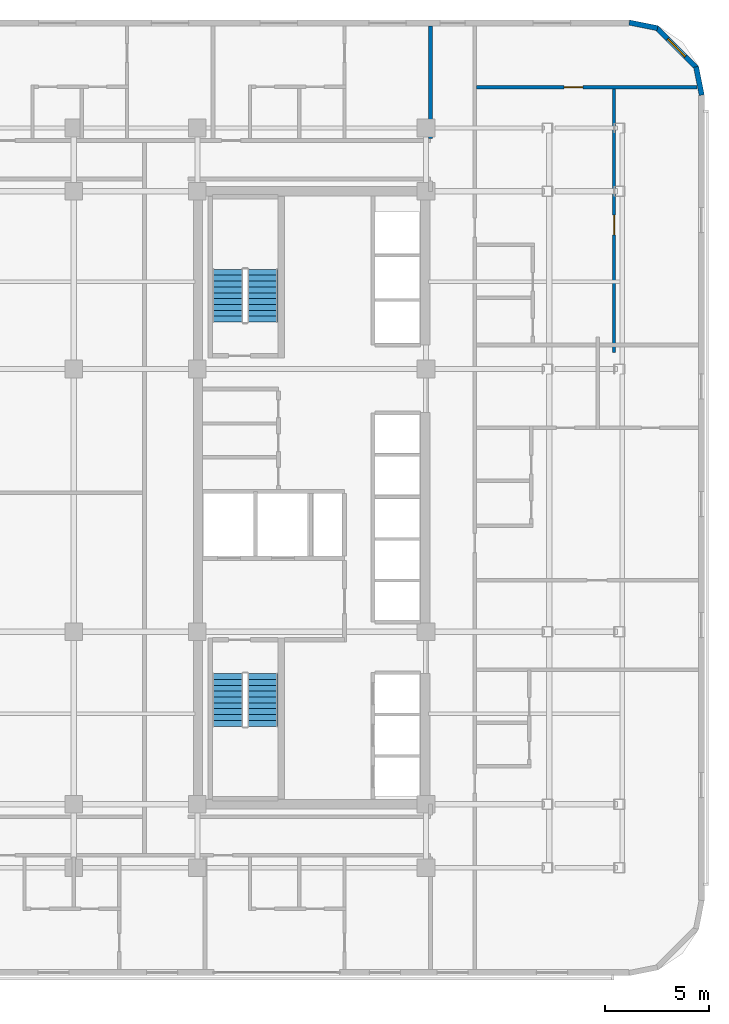
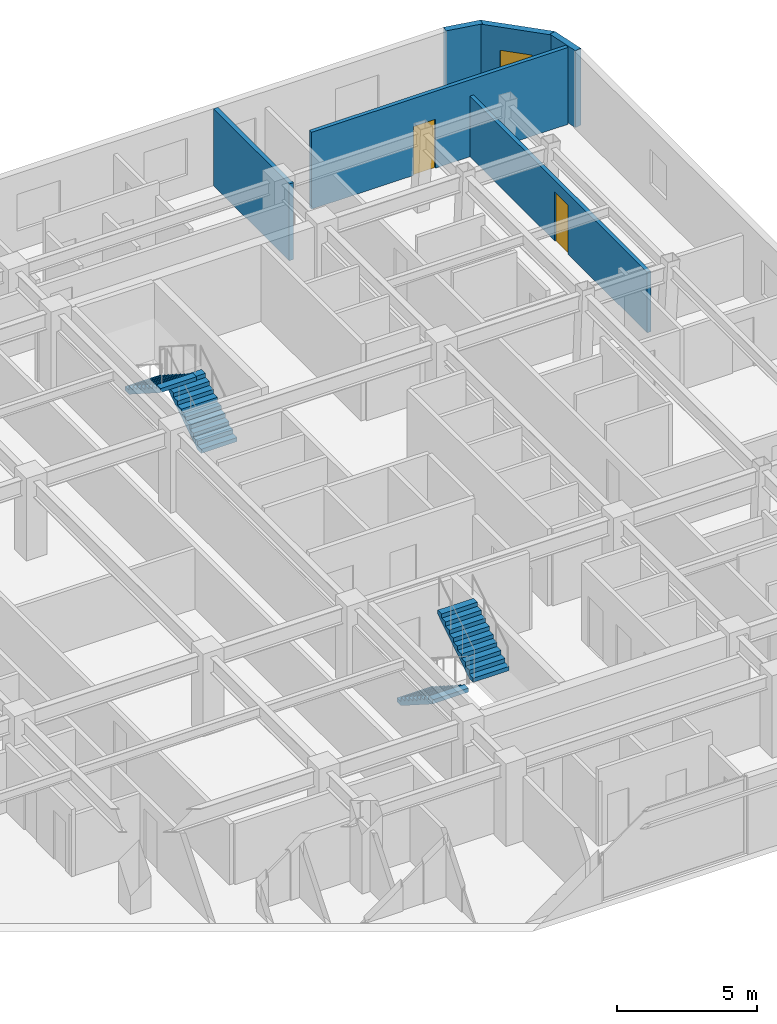
# One storey, part 11 of 15: 6 walls, 4 stair flights, 2 doors, 1 window, 3 openings, 2 elements without a shape of their own.
"""IFC4 building model written with IfcOpenShell, lengths in metres."""

import ifcopenshell
import ifcopenshell.guid

model = None  # the IFC model being written
_history = None  # IfcOwnerHistory: only IFC2X3 demands one
_inside = {}  # id of a spatial element -> (the spatial element, [elements in it])
_under = {}  # id of a project, library or spatial element -> (it, [spatial elements below it])
_declared = {}  # id of a project -> (the project, [libraries it declares])
_typed = {}  # id of a type object -> (the type object, [elements of that type])
_made_of = {}  # id of a material, layer set ... -> (it, [elements and type objects made of it])


def new_model(schema):
    """Start an empty IFC model of exactly this schema.

    Asked for "IFC4X3", IfcOpenShell would pick the latest addendum, in which some entities
    have other attributes; the version numbers below select the first issue.
    IFC2X3 requires an IfcOwnerHistory on every rooted entity: one is made here for all.
    """
    global model, _history
    if schema == "IFC4X3":
        model = ifcopenshell.file(schema_version=(4, 3, 0, 0))
    else:
        model = ifcopenshell.file(schema=schema)
    _inside.clear()
    _under.clear()
    _declared.clear()
    _typed.clear()
    _made_of.clear()
    _history = None
    if model.schema == "IFC2X3":
        org = make("IfcOrganization", Name="unknown")
        user = make(
            "IfcPersonAndOrganization",
            ThePerson=make("IfcPerson", FamilyName="unknown"),
            TheOrganization=org,
        )
        app = make(
            "IfcApplication",
            ApplicationDeveloper=org,
            Version="unknown",
            ApplicationFullName="unknown",
            ApplicationIdentifier="unknown",
        )
        _history = make(
            "IfcOwnerHistory",
            OwningUser=user,
            OwningApplication=app,
            ChangeAction="ADDED",
            CreationDate=0,
        )
    return model


def make(cls, **values):
    """One entity of the class cls with the attributes given. An attribute that is None is left unset."""
    return model.create_entity(
        cls, **{name: value for name, value in values.items() if value is not None}
    )


def rooted(cls, **values):
    """An entity with a GlobalId (a new one), such as an element, a storey or a relation."""
    return make(cls, GlobalId=ifcopenshell.guid.new(), OwnerHistory=_history, **values)


def si_unit(unit_type, name, prefix=None):
    """IfcSIUnit, for example si_unit("LENGTHUNIT", "METRE", prefix="MILLI")."""
    return make("IfcSIUnit", UnitType=unit_type, Prefix=prefix, Name=name)


def assignment(units):
    """IfcUnitAssignment: the units of a project."""
    return None if units is None else make("IfcUnitAssignment", Units=units)


def point(xyz):
    """IfcCartesianPoint."""
    return None if xyz is None else make("IfcCartesianPoint", Coordinates=xyz)


def direction(xyz):
    """IfcDirection."""
    return None if xyz is None else make("IfcDirection", DirectionRatios=xyz)


def frame(location, z_axis=None, x_axis=None):
    """IfcAxis2Placement3D, a coordinate frame: its origin and axes. An axis left out is left unset."""
    return make(
        "IfcAxis2Placement3D",
        Location=point(location),
        Axis=direction(z_axis),
        RefDirection=direction(x_axis),
    )


def frame_2d(location, x_axis=None):
    """IfcAxis2Placement2D, a coordinate frame in the plane: its origin and x axis."""
    return make(
        "IfcAxis2Placement2D", Location=point(location), RefDirection=direction(x_axis)
    )


def origin():
    """The frame at (0, 0, 0) with its axes left unset."""
    return frame((0.0, 0.0, 0.0))


def place(relative_to, where):
    """IfcLocalPlacement: puts the frame where relative to a parent placement (None: the world)."""
    return make(
        "IfcLocalPlacement", PlacementRelTo=relative_to, RelativePlacement=where
    )


def context(
    kind, dimensions, precision=None, world=None, true_north=None, identifier=None
):
    """IfcGeometricRepresentationContext, for example the 3D "Model" context."""
    return make(
        "IfcGeometricRepresentationContext",
        ContextIdentifier=identifier,
        ContextType=kind,
        CoordinateSpaceDimension=dimensions,
        Precision=precision,
        WorldCoordinateSystem=world,
        TrueNorth=true_north,
    )


def subcontext(parent, identifier, kind, view, scale=None):
    """IfcGeometricRepresentationSubContext, for example "Body" below "Model"."""
    return make(
        "IfcGeometricRepresentationSubContext",
        ContextIdentifier=identifier,
        ContextType=kind,
        ParentContext=parent,
        TargetScale=scale,
        TargetView=view,
    )


def project(units=None, contexts=None):
    """IfcProject with its units and contexts."""
    return rooted(
        "IfcProject",
        Name="project",
        RepresentationContexts=contexts,
        UnitsInContext=assignment(units),
    )


def spatial(cls, under=None, at=None, **own):
    """A site, building, storey or space (cls), placed at a placement, below another one or the project."""
    s = rooted(cls, ObjectPlacement=at, **own)
    if under is not None:
        _under.setdefault(under.id(), (under, []))[1].append(s)
    return s


def polyline(points):
    """IfcPolyline through the points."""
    return make("IfcPolyline", Points=[point(p) for p in points])


def profile(cls, at=None, kind="AREA", **sizes):
    """A parametric profile (cls). Its sizes go by their IFC names, for example OverallWidth=200.0."""
    return make(cls, ProfileType=kind, Position=at, **sizes)


def rectangle(**sizes):
    """IfcRectangleProfileDef."""
    return profile("IfcRectangleProfileDef", **sizes)


def outline(outer, holes=None, kind="AREA"):
    """IfcArbitraryClosedProfileDef: a profile drawn as a closed curve; with holes, ...WithVoids."""
    if holes is None:
        return make("IfcArbitraryClosedProfileDef", ProfileType=kind, OuterCurve=outer)
    return make(
        "IfcArbitraryProfileDefWithVoids",
        ProfileType=kind,
        OuterCurve=outer,
        InnerCurves=holes,
    )


def extrude(swept, where, along, depth):
    """IfcExtrudedAreaSolid: the profile swept, set in the frame where, extruded along a direction by depth."""
    return make(
        "IfcExtrudedAreaSolid",
        SweptArea=swept,
        Position=where,
        ExtrudedDirection=direction(along),
        Depth=depth,
    )


def shape(context_of_items, identifier, shape_type, items):
    """IfcShapeRepresentation: the items that make up one representation, for example the "Body"."""
    return make(
        "IfcShapeRepresentation",
        ContextOfItems=context_of_items,
        RepresentationIdentifier=identifier,
        RepresentationType=shape_type,
        Items=items,
    )


def material(Name=None, Category=None):
    """IfcMaterial."""
    return make("IfcMaterial", Name=Name, Category=Category)


def layer(
    of_material, thickness, ventilated=None, Name=None, Category=None, Priority=None
):
    """IfcMaterialLayer: one layer of a wall or slab, of a material (None: an air gap)."""
    return make(
        "IfcMaterialLayer",
        Material=of_material,
        LayerThickness=thickness,
        IsVentilated=ventilated,
        Name=Name,
        Category=Category,
        Priority=Priority,
    )


def layer_set(layers, Name=None):
    """IfcMaterialLayerSet."""
    return make("IfcMaterialLayerSet", MaterialLayers=layers, LayerSetName=Name)


def made_of(thing, what):
    """Note that an element or type object is made of a material, layer set ...; save() writes the relation."""
    if what is not None:
        _made_of.setdefault(what.id(), (what, []))[1].append(thing)
    return thing


def type_object(cls, material=None, **own):
    """A type object (cls), such as IfcWallType, which elements share."""
    return made_of(rooted(cls, **own), material)


def element(
    cls,
    number,
    at=None,
    inside=None,
    cuts=None,
    type_object=None,
    material=None,
    context=None,
    identifier="Body",
    shape_type=None,
    held_by="IfcProductDefinitionShape",
    body=None,
    shapes=None,
    **own,
):
    """One element of the class cls, such as IfcWall. Its Tag is "e" and its number.

    at: its placement. inside: the storey or other place that contains it. cuts: it is an
    opening in that element (IfcRelVoidsElement). A single representation is given by context,
    identifier, shape_type and body (its items); several are given by shapes. held_by: the class
    of the entity that holds the representations. save() writes the other relations.
    """
    e = rooted(cls, Tag="e%d" % number, ObjectPlacement=at, **own)
    if body is not None:
        shapes = [shape(context, identifier, shape_type, body)]
    if shapes is not None:
        e.Representation = make(held_by, Representations=shapes)
    if inside is not None:
        _inside.setdefault(inside.id(), (inside, []))[1].append(e)
    if cuts is not None:
        rooted(
            "IfcRelVoidsElement", RelatingBuildingElement=cuts, RelatedOpeningElement=e
        )
    if type_object is not None:
        _typed.setdefault(type_object.id(), (type_object, []))[1].append(e)
    return made_of(e, material)


def fill(opening, filler):
    """IfcRelFillsElement: the door or window that sits in an opening."""
    return rooted(
        "IfcRelFillsElement",
        RelatingOpeningElement=opening,
        RelatedBuildingElement=filler,
    )


def aggregate(whole, parts):
    """IfcRelAggregates: a whole, such as a stair, and the parts it consists of."""
    return rooted("IfcRelAggregates", RelatingObject=whole, RelatedObjects=parts)


def save(model, path):
    """Write the relations noted so far, then the file.

    IfcRelAggregates (storeys below a building ...), IfcRelContainedInSpatialStructure (elements
    in a storey), IfcRelDefinesByType, IfcRelAssociatesMaterial and IfcRelDeclares: one each for
    every whole, place, type object, material and project.
    """
    for whole, parts in _under.values():
        aggregate(whole, parts)
    for where, things in _inside.values():
        rooted(
            "IfcRelContainedInSpatialStructure",
            RelatedElements=things,
            RelatingStructure=where,
        )
    for kind, things in _typed.values():
        rooted("IfcRelDefinesByType", RelatedObjects=things, RelatingType=kind)
    for what, things in _made_of.values():
        rooted("IfcRelAssociatesMaterial", RelatedObjects=things, RelatingMaterial=what)
    for by, libraries in _declared.values():
        rooted("IfcRelDeclares", RelatingContext=by, RelatedDefinitions=libraries)
    model.write(path)


model = new_model("IFC4")

# Units and contexts
model_context = context("Model", 3, precision=1e-05, world=origin(), true_north=direction((0.0, 1.0)))
body_context = subcontext(model_context, "Body", "Model", "MODEL_VIEW")
ifc_project = project(units=[si_unit("LENGTHUNIT", "METRE"), si_unit("AREAUNIT", "SQUARE_METRE"), si_unit("VOLUMEUNIT", "CUBIC_METRE"), si_unit("PLANEANGLEUNIT", "RADIAN"), si_unit("MASSUNIT", "GRAM", prefix="KILO")], contexts=[model_context])

# Site, building, storey
site_placement = place(None, origin())
site = spatial("IfcSite", under=ifc_project, at=site_placement, CompositionType="ELEMENT")
building_placement = place(site_placement, origin())
building = spatial("IfcBuilding", under=site, at=building_placement, Name="Ochreholt Gables", CompositionType="ELEMENT")
storey_placement = place(building_placement, frame((0.0, 0.0, 31.199951171875)))
storey = spatial("IfcBuildingStorey", under=building, at=storey_placement, Name="L07", CompositionType="ELEMENT", Elevation=31.199951171875)

# Wall
ifc_material_1 = material(Name="Precast concrete 40 MPa", Category="concrete")
ifc_layer_1 = layer(ifc_material_1, 0.25, Name="Precast concrete 40 MPa")
ifc_layer_set_1 = layer_set([ifc_layer_1], Name="Precast concrete 40 MPa")
wall_type_1 = type_object("IfcWallType", Name="WALL-EXT-CNR", PredefinedType="SOLIDWALL", material=ifc_layer_set_1)
wall_1_placement = place(storey_placement, frame((48.475830078125, 43.383544921875, 0.0), z_axis=(0.0, 0.0, 1.0), x_axis=(-0.19496651342, 0.980809899341, 0.0)))
element("IfcWall", 1, at=wall_1_placement, inside=storey, type_object=wall_type_1, Name="L07 Rounded Corner Wall NE-1", PredefinedType="SOLIDWALL", context=body_context, shape_type="SweptSolid", body=[
    extrude(rectangle(XDim=1.388671875, YDim=0.25, at=frame_2d((0.6943359375, 0.0))), origin(), (0.0, 0.0, 1.0), 3.360107421875),
])

# Wall, opening, window
wall_2_placement = place(storey_placement, frame((48.23193359375, 44.695068359375, 0.0), z_axis=(0.0, 0.0, 1.0), x_axis=(-0.707106781187, 0.707106781187, 0.0)))
wall_2 = element("IfcWall", 2, at=wall_2_placement, inside=storey, type_object=wall_type_1, Name="L07 Rounded Corner Wall NE-2", PredefinedType="SOLIDWALL", context=body_context, shape_type="SweptSolid", body=[
    extrude(rectangle(XDim=2.7392578125, YDim=0.25, at=frame_2d((1.36962890625, 0.0))), origin(), (0.0, 0.0, 1.0), 3.360107421875),
])
opening_1_placement = place(wall_2_placement, frame((0.769775390625, 0.0, 0.85009765625)))
opening_1 = element("IfcOpeningElement", 3, at=opening_1_placement, cuts=wall_2, Name="Opening WN-3", PredefinedType="OPENING", context=body_context, shape_type="SweptSolid", body=[
    extrude(rectangle(XDim=1.199951171875, YDim=1.5, at=frame_2d((0.60009765625, 0.75))), frame((0.0, 0.135009765625, 0.0), z_axis=(0.0, -1.0, 0.0), x_axis=(1.0, 0.0, 0.0)), (0.0, 0.0, 1.0), 0.27001953125),
])
ifc_material_2 = material(Name="Triple-Glazed Thermally Broken Aluminium Window", Category="aluminium")
window_type = type_object("IfcWindowType", Name="WIN-RES-1200", PartitioningType="SINGLE_PANEL", PredefinedType="WINDOW", material=ifc_material_2)
window_placement = place(opening_1_placement, origin())
window = element("IfcWindow", 4, at=window_placement, inside=storey, type_object=window_type, Name="L07 Corner Bedroom Window NE", OverallHeight=1.5, OverallWidth=1.199951171875, PartitioningType="SINGLE_PANEL", PredefinedType="WINDOW", context=body_context, shape_type="SweptSolid", body=[
    extrude(rectangle(XDim=1.199951171875, YDim=1.5, at=frame_2d((0.60009765625, 0.75))), frame((0.0, 0.030029296875, 0.0), z_axis=(0.0, -1.0, 0.0), x_axis=(1.0, 0.0, 0.0)), (0.0, 0.0, 1.0), 0.06005859375),
])
fill(opening_1, window)

# Walls
wall_3_placement = place(storey_placement, frame((46.345458984375, 46.60498046875, 0.0), z_axis=(0.0, 0.0, 1.0), x_axis=(-0.980809899341, 0.19496651342, 0.0)))
element("IfcWall", 5, at=wall_3_placement, inside=storey, type_object=wall_type_1, Name="L07 Rounded Corner Wall NE-3", PredefinedType="SOLIDWALL", context=body_context, shape_type="SweptSolid", body=[
    extrude(rectangle(XDim=1.388671875, YDim=0.25, at=frame_2d((0.6943359375, 0.0))), origin(), (0.0, 0.0, 1.0), 3.360107421875),
])
ifc_material_3 = material(Name="Double-Stud Acoustic Demising Wall", Category="gypsum")
ifc_layer_2 = layer(ifc_material_3, 0.179931640625, Name="Double-Stud Acoustic Demising Wall")
ifc_layer_set_2 = layer_set([ifc_layer_2], Name="Double-Stud Acoustic Demising Wall")
wall_type_2 = type_object("IfcWallType", Name="WALL-INT-DM180", PredefinedType="PARTITIONING", material=ifc_layer_set_2)
wall_4_placement = place(storey_placement, frame((35.419921875, 41.2900390625, 0.0), z_axis=(0.0, 0.0, 1.0), x_axis=(0.0, 1.0, 0.0)))
element("IfcWall", 6, at=wall_4_placement, inside=storey, type_object=wall_type_2, Name="L07 Interior Wall WI-C1ENW-L07", PredefinedType="PARTITIONING", context=body_context, shape_type="SweptSolid", body=[
    extrude(rectangle(XDim=5.419921875, YDim=0.179931640625, at=frame_2d((2.7099609375, 0.0))), origin(), (0.0, 0.0, 1.0), 3.360107421875),
])

# Wall, opening, door
ifc_material_4 = material(Name="Gypsum Acoustic Stud Partition", Category="gypsum")
ifc_layer_3 = layer(ifc_material_4, 0.159912109375, Name="Gypsum Acoustic Stud Partition")
ifc_layer_set_3 = layer_set([ifc_layer_3], Name="Gypsum Acoustic Stud Partition")
wall_type_3 = type_object("IfcWallType", Name="WALL-INT-PT160", PredefinedType="PARTITIONING", material=ifc_layer_set_3)
wall_5_placement = place(storey_placement, frame((37.639892578125, 43.760009765625, 0.0), z_axis=(0.0, 0.0, 1.0), x_axis=(1.0, 0.0, 0.0)))
wall_5 = element("IfcWall", 7, at=wall_5_placement, inside=storey, type_object=wall_type_3, Name="L07 Interior Wall WU-L07E3-MN", PredefinedType="PARTITIONING", context=body_context, shape_type="SweptSolid", body=[
    extrude(rectangle(XDim=10.597900390625, YDim=0.159912109375, at=frame_2d((5.298828125, 0.0))), origin(), (0.0, 0.0, 1.0), 3.360107421875),
])
opening_2_placement = place(wall_5_placement, frame((4.211181640625, 0.0, 0.0)))
opening_2 = element("IfcOpeningElement", 8, at=opening_2_placement, cuts=wall_5, Name="Opening D-BD1", PredefinedType="OPENING", context=body_context, shape_type="SweptSolid", body=[
    extrude(rectangle(XDim=0.89990234375, YDim=2.139892578125, at=frame_2d((0.449951171875, 1.06982421875))), frame((0.0, 0.08984375, 0.0), z_axis=(0.0, -1.0, 0.0), x_axis=(1.0, 0.0, 0.0)), (0.0, 0.0, 1.0), 0.179931640625),
])
ifc_material_5 = material(Name="Engineered Oak Timber", Category="wood")
door_type_1 = type_object("IfcDoorType", Name="DR-INT-BED900", OperationType="NOTDEFINED", PredefinedType="DOOR", material=ifc_material_5)
door_1_placement = place(opening_2_placement, origin())
door_1 = element("IfcDoor", 9, at=door_1_placement, inside=storey, type_object=door_type_1, Name="L07 Door D-U-L07E3-BD1", OperationType="SINGLE_SWING_LEFT", OverallHeight=2.139892578125, OverallWidth=0.89990234375, PredefinedType="DOOR", context=body_context, shape_type="SweptSolid", body=[
    extrude(rectangle(XDim=0.89990234375, YDim=2.139892578125, at=frame_2d((0.449951171875, 1.06982421875))), frame((0.0, 0.02490234375, 0.0), z_axis=(0.0, -1.0, 0.0), x_axis=(1.0, 0.0, 0.0)), (0.0, 0.0, 1.0), 0.050048828125),
])
fill(opening_2, door_1)

wall_6_placement = place(storey_placement, frame((44.254150390625, 31.0, 0.0), z_axis=(0.0, 0.0, 1.0), x_axis=(0.0, 1.0, 0.0)))
wall_6 = element("IfcWall", 10, at=wall_6_placement, inside=storey, type_object=wall_type_3, Name="L07 Interior Wall WU-L07E3-DNV", PredefinedType="PARTITIONING", context=body_context, shape_type="SweptSolid", body=[
    extrude(rectangle(XDim=12.840087890625, YDim=0.159912109375, at=frame_2d((6.419921875, 0.0))), origin(), (0.0, 0.0, 1.0), 2.649169921875),
])
opening_3_placement = place(wall_6_placement, frame((5.659912109375, 0.0, 0.0)))
opening_3 = element("IfcOpeningElement", 11, at=opening_3_placement, cuts=wall_6, Name="Opening D-GN1", PredefinedType="OPENING", context=body_context, shape_type="SweptSolid", body=[
    extrude(rectangle(XDim=0.949951171875, YDim=2.14990234375, at=frame_2d((0.47509765625, 1.074951171875))), frame((0.0, 0.08984375, 0.0), z_axis=(0.0, -1.0, 0.0), x_axis=(1.0, 0.0, 0.0)), (0.0, 0.0, 1.0), 0.179931640625),
])
door_type_2 = type_object("IfcDoorType", Name="DR-INT-GEN950", OperationType="NOTDEFINED", PredefinedType="DOOR", material=ifc_material_5)
door_2_placement = place(opening_3_placement, origin())
door_2 = element("IfcDoor", 12, at=door_2_placement, inside=storey, type_object=door_type_2, Name="L07 Door D-U-L07E3-DIN", OperationType="SINGLE_SWING_LEFT", OverallHeight=2.14990234375, OverallWidth=0.949951171875, PredefinedType="DOOR", context=body_context, shape_type="SweptSolid", body=[
    extrude(rectangle(XDim=0.949951171875, YDim=2.14990234375, at=frame_2d((0.47509765625, 1.074951171875))), frame((0.0, 0.02490234375, 0.0), z_axis=(0.0, -1.0, 0.0), x_axis=(1.0, 0.0, 0.0)), (0.0, 0.0, 1.0), 0.050048828125),
])
fill(opening_3, door_2)

# Stair, stair flights
ifc_material_6 = material(Name="Concrete 40 MPa", Category="concrete")
stair_type_1 = type_object("IfcStairType", Name="STAIR-CORE-ST-1", PredefinedType="HALF_TURN_STAIR", material=ifc_material_6)
stair_1_placement = place(storey_placement, origin())
stair_1 = element("IfcStair", 13, at=stair_1_placement, inside=storey, type_object=stair_type_1, Name="L07 Core Exit Stair 1", PredefinedType="HALF_TURN_STAIR")
stair_flight_type = type_object("IfcStairFlightType", Name="FLIGHT-ST-1480-1800", PredefinedType="STRAIGHT", material=ifc_material_6)
stair_flight_1_placement = place(storey_placement, frame((25.659912109375, 15.5400390625, 0.0), z_axis=(0.0, 0.0, 1.0), x_axis=(0.0, -1.0, 0.0)))
stair_flight_1 = element("IfcStairFlight", 14, at=stair_flight_1_placement, type_object=stair_flight_type, Name="ST-1 flight 1", NumberOfRisers=10, NumberOfTreads=9, PredefinedType="STRAIGHT", RiserHeight=0.18, TreadLength=0.282, context=body_context, shape_type="SweptSolid", body=[
    extrude(outline(polyline([(0.0, 0.0), (0.0, 0.179931640625), (0.281982421875, 0.179931640625), (0.281982421875, 0.360107421875), (0.56396484375, 0.360107421875), (0.56396484375, 0.5400390625), (0.845947265625, 0.5400390625), (0.845947265625, 0.719970703125), (1.1279296875, 0.719970703125), (1.1279296875, 0.89990234375), (1.409912109375, 0.89990234375), (1.409912109375, 1.080078125), (1.69189453125, 1.080078125), (1.69189453125, 1.260009765625), (1.97412109375, 1.260009765625), (1.97412109375, 1.43994140625), (2.256103515625, 1.43994140625), (2.256103515625, 1.6201171875), (2.5380859375, 1.6201171875), (2.5380859375, 1.800048828125), (2.5380859375, 1.442138671875), (0.278564453125, 0.0), (0.0, 0.0)])), frame((0.0, 0.739990234375, 0.0), z_axis=(0.0, -1.0, 0.0), x_axis=(1.0, 0.0, 0.0)), (0.0, 0.0, 1.0), 1.47998046875),
])
stair_flight_2_placement = place(storey_placement, frame((27.340087890625, 13.001953125, 1.800048828125), z_axis=(0.0, 0.0, 1.0), x_axis=(0.0, 1.0, 0.0)))
stair_flight_2 = element("IfcStairFlight", 15, at=stair_flight_2_placement, type_object=stair_flight_type, Name="ST-1 flight 2", NumberOfRisers=10, NumberOfTreads=9, PredefinedType="STRAIGHT", RiserHeight=0.18, TreadLength=0.282, context=body_context, shape_type="SweptSolid", body=[
    extrude(outline(polyline([(0.0, 0.0), (0.0, 0.179931640625), (0.281982421875, 0.179931640625), (0.281982421875, 0.360107421875), (0.56396484375, 0.360107421875), (0.56396484375, 0.5400390625), (0.845947265625, 0.5400390625), (0.845947265625, 0.719970703125), (1.1279296875, 0.719970703125), (1.1279296875, 0.89990234375), (1.409912109375, 0.89990234375), (1.409912109375, 1.080078125), (1.69189453125, 1.080078125), (1.69189453125, 1.260009765625), (1.97412109375, 1.260009765625), (1.97412109375, 1.43994140625), (2.256103515625, 1.43994140625), (2.256103515625, 1.6201171875), (2.5380859375, 1.6201171875), (2.5380859375, 1.800048828125), (2.5380859375, 1.442138671875), (0.278564453125, 0.0), (0.0, 0.0)])), frame((0.0, 0.739990234375, 0.0), z_axis=(0.0, -1.0, 0.0), x_axis=(1.0, 0.0, 0.0)), (0.0, 0.0, 1.0), 1.47998046875),
])
aggregate(stair_1, [stair_flight_1, stair_flight_2])

stair_type_2 = type_object("IfcStairType", Name="STAIR-CORE-ST-2", PredefinedType="HALF_TURN_STAIR", material=ifc_material_6)
stair_2_placement = place(storey_placement, origin())
stair_2 = element("IfcStair", 16, at=stair_2_placement, inside=storey, type_object=stair_type_2, Name="L07 Core Exit Stair 2", PredefinedType="HALF_TURN_STAIR")
stair_flight_3_placement = place(storey_placement, frame((27.340087890625, 32.4599609375, 0.0), z_axis=(0.0, 0.0, 1.0), x_axis=(0.0, 1.0, 0.0)))
stair_flight_3 = element("IfcStairFlight", 17, at=stair_flight_3_placement, type_object=stair_flight_type, Name="ST-2 flight 1", NumberOfRisers=10, NumberOfTreads=9, PredefinedType="STRAIGHT", RiserHeight=0.18, TreadLength=0.282, context=body_context, shape_type="SweptSolid", body=[
    extrude(outline(polyline([(0.0, 0.0), (0.0, 0.179931640625), (0.281982421875, 0.179931640625), (0.281982421875, 0.360107421875), (0.56396484375, 0.360107421875), (0.56396484375, 0.5400390625), (0.845947265625, 0.5400390625), (0.845947265625, 0.719970703125), (1.1279296875, 0.719970703125), (1.1279296875, 0.89990234375), (1.409912109375, 0.89990234375), (1.409912109375, 1.080078125), (1.69189453125, 1.080078125), (1.69189453125, 1.260009765625), (1.97412109375, 1.260009765625), (1.97412109375, 1.43994140625), (2.256103515625, 1.43994140625), (2.256103515625, 1.6201171875), (2.5380859375, 1.6201171875), (2.5380859375, 1.800048828125), (2.5380859375, 1.442138671875), (0.278564453125, 0.0), (0.0, 0.0)])), frame((0.0, 0.739990234375, 0.0), z_axis=(0.0, -1.0, 0.0), x_axis=(1.0, 0.0, 0.0)), (0.0, 0.0, 1.0), 1.47998046875),
])
stair_flight_4_placement = place(storey_placement, frame((25.659912109375, 34.998046875, 1.800048828125), z_axis=(0.0, 0.0, 1.0), x_axis=(0.0, -1.0, 0.0)))
stair_flight_4 = element("IfcStairFlight", 18, at=stair_flight_4_placement, type_object=stair_flight_type, Name="ST-2 flight 2", NumberOfRisers=10, NumberOfTreads=9, PredefinedType="STRAIGHT", RiserHeight=0.18, TreadLength=0.282, context=body_context, shape_type="SweptSolid", body=[
    extrude(outline(polyline([(0.0, 0.0), (0.0, 0.179931640625), (0.281982421875, 0.179931640625), (0.281982421875, 0.360107421875), (0.56396484375, 0.360107421875), (0.56396484375, 0.5400390625), (0.845947265625, 0.5400390625), (0.845947265625, 0.719970703125), (1.1279296875, 0.719970703125), (1.1279296875, 0.89990234375), (1.409912109375, 0.89990234375), (1.409912109375, 1.080078125), (1.69189453125, 1.080078125), (1.69189453125, 1.260009765625), (1.97412109375, 1.260009765625), (1.97412109375, 1.43994140625), (2.256103515625, 1.43994140625), (2.256103515625, 1.6201171875), (2.5380859375, 1.6201171875), (2.5380859375, 1.800048828125), (2.5380859375, 1.442138671875), (0.278564453125, 0.0), (0.0, 0.0)])), frame((0.0, 0.739990234375, 0.0), z_axis=(0.0, -1.0, 0.0), x_axis=(1.0, 0.0, 0.0)), (0.0, 0.0, 1.0), 1.47998046875),
])
aggregate(stair_2, [stair_flight_3, stair_flight_4])

save(model, "model.ifc")
